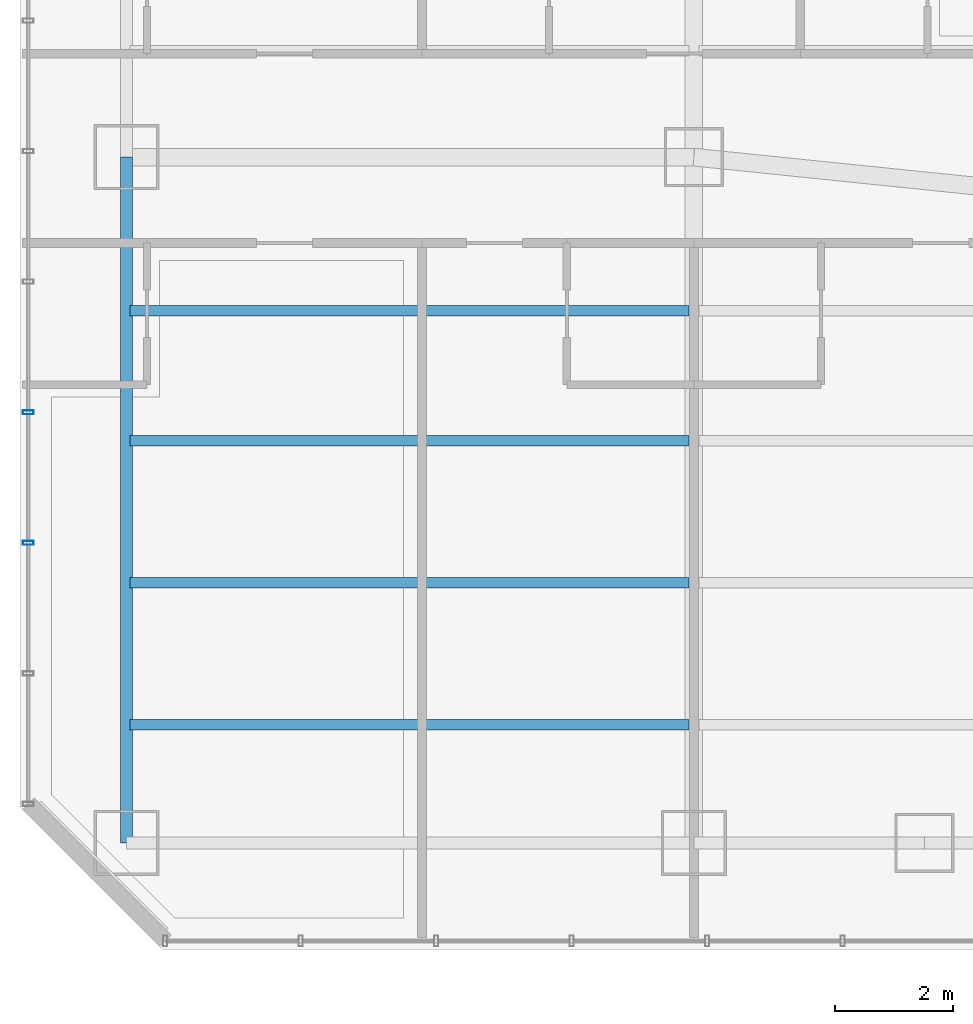
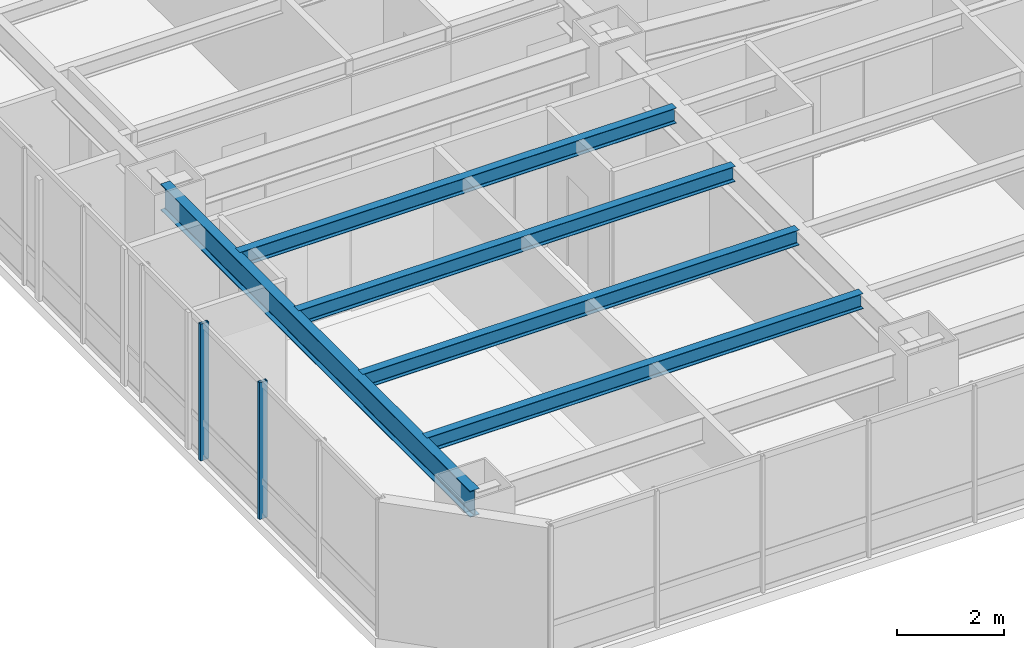
# One storey, part 5 of 38: 5 beams, 2 members, 1 element without a shape of its own.
"""IFC4 building model written with IfcOpenShell, lengths in metres."""

import ifcopenshell
import ifcopenshell.guid

model = None  # the IFC model being written
_history = None  # IfcOwnerHistory: only IFC2X3 demands one
_inside = {}  # id of a spatial element -> (the spatial element, [elements in it])
_under = {}  # id of a project, library or spatial element -> (it, [spatial elements below it])
_declared = {}  # id of a project -> (the project, [libraries it declares])
_typed = {}  # id of a type object -> (the type object, [elements of that type])
_made_of = {}  # id of a material, layer set ... -> (it, [elements and type objects made of it])


def new_model(schema):
    """Start an empty IFC model of exactly this schema.

    Asked for "IFC4X3", IfcOpenShell would pick the latest addendum, in which some entities
    have other attributes; the version numbers below select the first issue.
    IFC2X3 requires an IfcOwnerHistory on every rooted entity: one is made here for all.
    """
    global model, _history
    if schema == "IFC4X3":
        model = ifcopenshell.file(schema_version=(4, 3, 0, 0))
    else:
        model = ifcopenshell.file(schema=schema)
    _inside.clear()
    _under.clear()
    _declared.clear()
    _typed.clear()
    _made_of.clear()
    _history = None
    if model.schema == "IFC2X3":
        org = make("IfcOrganization", Name="unknown")
        user = make(
            "IfcPersonAndOrganization",
            ThePerson=make("IfcPerson", FamilyName="unknown"),
            TheOrganization=org,
        )
        app = make(
            "IfcApplication",
            ApplicationDeveloper=org,
            Version="unknown",
            ApplicationFullName="unknown",
            ApplicationIdentifier="unknown",
        )
        _history = make(
            "IfcOwnerHistory",
            OwningUser=user,
            OwningApplication=app,
            ChangeAction="ADDED",
            CreationDate=0,
        )
    return model


def make(cls, **values):
    """One entity of the class cls with the attributes given. An attribute that is None is left unset."""
    return model.create_entity(
        cls, **{name: value for name, value in values.items() if value is not None}
    )


def rooted(cls, **values):
    """An entity with a GlobalId (a new one), such as an element, a storey or a relation."""
    return make(cls, GlobalId=ifcopenshell.guid.new(), OwnerHistory=_history, **values)


def si_unit(unit_type, name, prefix=None):
    """IfcSIUnit, for example si_unit("LENGTHUNIT", "METRE", prefix="MILLI")."""
    return make("IfcSIUnit", UnitType=unit_type, Prefix=prefix, Name=name)


def assignment(units):
    """IfcUnitAssignment: the units of a project."""
    return None if units is None else make("IfcUnitAssignment", Units=units)


def point(xyz):
    """IfcCartesianPoint."""
    return None if xyz is None else make("IfcCartesianPoint", Coordinates=xyz)


def direction(xyz):
    """IfcDirection."""
    return None if xyz is None else make("IfcDirection", DirectionRatios=xyz)


def frame(location, z_axis=None, x_axis=None):
    """IfcAxis2Placement3D, a coordinate frame: its origin and axes. An axis left out is left unset."""
    return make(
        "IfcAxis2Placement3D",
        Location=point(location),
        Axis=direction(z_axis),
        RefDirection=direction(x_axis),
    )


def frame_2d(location, x_axis=None):
    """IfcAxis2Placement2D, a coordinate frame in the plane: its origin and x axis."""
    return make(
        "IfcAxis2Placement2D", Location=point(location), RefDirection=direction(x_axis)
    )


def origin():
    """The frame at (0, 0, 0) with its axes left unset."""
    return frame((0.0, 0.0, 0.0))


def origin_2d():
    """The frame at (0, 0) in the plane with its x axis left unset."""
    return frame_2d((0.0, 0.0))


def place(relative_to, where):
    """IfcLocalPlacement: puts the frame where relative to a parent placement (None: the world)."""
    return make(
        "IfcLocalPlacement", PlacementRelTo=relative_to, RelativePlacement=where
    )


def context(
    kind, dimensions, precision=None, world=None, true_north=None, identifier=None
):
    """IfcGeometricRepresentationContext, for example the 3D "Model" context."""
    return make(
        "IfcGeometricRepresentationContext",
        ContextIdentifier=identifier,
        ContextType=kind,
        CoordinateSpaceDimension=dimensions,
        Precision=precision,
        WorldCoordinateSystem=world,
        TrueNorth=true_north,
    )


def subcontext(parent, identifier, kind, view, scale=None):
    """IfcGeometricRepresentationSubContext, for example "Body" below "Model"."""
    return make(
        "IfcGeometricRepresentationSubContext",
        ContextIdentifier=identifier,
        ContextType=kind,
        ParentContext=parent,
        TargetScale=scale,
        TargetView=view,
    )


def project(units=None, contexts=None):
    """IfcProject with its units and contexts."""
    return rooted(
        "IfcProject",
        Name="project",
        RepresentationContexts=contexts,
        UnitsInContext=assignment(units),
    )


def spatial(cls, under=None, at=None, **own):
    """A site, building, storey or space (cls), placed at a placement, below another one or the project."""
    s = rooted(cls, ObjectPlacement=at, **own)
    if under is not None:
        _under.setdefault(under.id(), (under, []))[1].append(s)
    return s


def profile(cls, at=None, kind="AREA", **sizes):
    """A parametric profile (cls). Its sizes go by their IFC names, for example OverallWidth=200.0."""
    return make(cls, ProfileType=kind, Position=at, **sizes)


def hollow_rectangle(**sizes):
    """IfcRectangleHollowProfileDef."""
    return profile("IfcRectangleHollowProfileDef", **sizes)


def i_section(**sizes):
    """IfcIShapeProfileDef."""
    return profile("IfcIShapeProfileDef", **sizes)


def extrude(swept, where, along, depth):
    """IfcExtrudedAreaSolid: the profile swept, set in the frame where, extruded along a direction by depth."""
    return make(
        "IfcExtrudedAreaSolid",
        SweptArea=swept,
        Position=where,
        ExtrudedDirection=direction(along),
        Depth=depth,
    )


def shape(context_of_items, identifier, shape_type, items):
    """IfcShapeRepresentation: the items that make up one representation, for example the "Body"."""
    return make(
        "IfcShapeRepresentation",
        ContextOfItems=context_of_items,
        RepresentationIdentifier=identifier,
        RepresentationType=shape_type,
        Items=items,
    )


def material(Name=None, Category=None):
    """IfcMaterial."""
    return make("IfcMaterial", Name=Name, Category=Category)


def layer(
    of_material, thickness, ventilated=None, Name=None, Category=None, Priority=None
):
    """IfcMaterialLayer: one layer of a wall or slab, of a material (None: an air gap)."""
    return make(
        "IfcMaterialLayer",
        Material=of_material,
        LayerThickness=thickness,
        IsVentilated=ventilated,
        Name=Name,
        Category=Category,
        Priority=Priority,
    )


def layer_set(layers, Name=None):
    """IfcMaterialLayerSet."""
    return make("IfcMaterialLayerSet", MaterialLayers=layers, LayerSetName=Name)


def material_profile(
    of_material, cross_section, Name=None, Category=None, Priority=None
):
    """IfcMaterialProfile: a cross section and its material."""
    return make(
        "IfcMaterialProfile",
        Name=Name,
        Material=of_material,
        Profile=cross_section,
        Priority=Priority,
        Category=Category,
    )


def profile_set(profiles, Name=None, composite=None):
    """IfcMaterialProfileSet."""
    return make(
        "IfcMaterialProfileSet",
        Name=Name,
        MaterialProfiles=profiles,
        CompositeProfile=composite,
    )


def made_of(thing, what):
    """Note that an element or type object is made of a material, layer set ...; save() writes the relation."""
    if what is not None:
        _made_of.setdefault(what.id(), (what, []))[1].append(thing)
    return thing


def type_object(cls, material=None, **own):
    """A type object (cls), such as IfcWallType, which elements share."""
    return made_of(rooted(cls, **own), material)


def element(
    cls,
    number,
    at=None,
    inside=None,
    cuts=None,
    type_object=None,
    material=None,
    context=None,
    identifier="Body",
    shape_type=None,
    held_by="IfcProductDefinitionShape",
    body=None,
    shapes=None,
    **own,
):
    """One element of the class cls, such as IfcWall. Its Tag is "e" and its number.

    at: its placement. inside: the storey or other place that contains it. cuts: it is an
    opening in that element (IfcRelVoidsElement). A single representation is given by context,
    identifier, shape_type and body (its items); several are given by shapes. held_by: the class
    of the entity that holds the representations. save() writes the other relations.
    """
    e = rooted(cls, Tag="e%d" % number, ObjectPlacement=at, **own)
    if body is not None:
        shapes = [shape(context, identifier, shape_type, body)]
    if shapes is not None:
        e.Representation = make(held_by, Representations=shapes)
    if inside is not None:
        _inside.setdefault(inside.id(), (inside, []))[1].append(e)
    if cuts is not None:
        rooted(
            "IfcRelVoidsElement", RelatingBuildingElement=cuts, RelatedOpeningElement=e
        )
    if type_object is not None:
        _typed.setdefault(type_object.id(), (type_object, []))[1].append(e)
    return made_of(e, material)


def aggregate(whole, parts):
    """IfcRelAggregates: a whole, such as a stair, and the parts it consists of."""
    return rooted("IfcRelAggregates", RelatingObject=whole, RelatedObjects=parts)


def save(model, path):
    """Write the relations noted so far, then the file.

    IfcRelAggregates (storeys below a building ...), IfcRelContainedInSpatialStructure (elements
    in a storey), IfcRelDefinesByType, IfcRelAssociatesMaterial and IfcRelDeclares: one each for
    every whole, place, type object, material and project.
    """
    for whole, parts in _under.values():
        aggregate(whole, parts)
    for where, things in _inside.values():
        rooted(
            "IfcRelContainedInSpatialStructure",
            RelatedElements=things,
            RelatingStructure=where,
        )
    for kind, things in _typed.values():
        rooted("IfcRelDefinesByType", RelatedObjects=things, RelatingType=kind)
    for what, things in _made_of.values():
        rooted("IfcRelAssociatesMaterial", RelatedObjects=things, RelatingMaterial=what)
    for by, libraries in _declared.values():
        rooted("IfcRelDeclares", RelatingContext=by, RelatedDefinitions=libraries)
    model.write(path)


model = new_model("IFC4")

# Units and contexts
model_context = context("Model", 3, precision=1e-05, world=origin(), true_north=direction((0.0, 1.0)))
body_context = subcontext(model_context, "Body", "Model", "MODEL_VIEW")
ifc_project = project(units=[si_unit("LENGTHUNIT", "METRE"), si_unit("AREAUNIT", "SQUARE_METRE"), si_unit("VOLUMEUNIT", "CUBIC_METRE"), si_unit("PLANEANGLEUNIT", "RADIAN"), si_unit("MASSUNIT", "GRAM", prefix="KILO")], contexts=[model_context])

# Site, building, storey
site_placement = place(None, origin())
site = spatial("IfcSite", under=ifc_project, at=site_placement, CompositionType="ELEMENT")
building_placement = place(site_placement, origin())
building = spatial("IfcBuilding", under=site, at=building_placement, Name="Hatsunagi Terrace Concourse", CompositionType="ELEMENT")
storey_placement = place(building_placement, frame((0.0, 0.0, 63.39990234375)))
storey = spatial("IfcBuildingStorey", under=building, at=storey_placement, Name="L16", CompositionType="ELEMENT", Elevation=63.39990234375)

# Curtain wall, members
ifc_material_1 = material(Name="Anodised Aluminium Alloy 6063-T5", Category="aluminium")
ifc_layer = layer(ifc_material_1, 0.199951171875)
ifc_layer_set = layer_set([ifc_layer], Name="HotelFacade_CW02")
curtain_wall_type = type_object("IfcCurtainWallType", Name="HotelFacade_CW02", PredefinedType="NOTDEFINED", material=ifc_layer_set)
curtain_wall_placement = place(storey_placement, origin())
curtain_wall = element("IfcCurtainWall", 1, at=curtain_wall_placement, inside=storey, type_object=curtain_wall_type, Name="Unitised Curtain Wall CW-02 CW-L16-09", PredefinedType="NOTDEFINED")
ifc_material_2 = material(Name="Anodised Aluminium Alloy 6063-T5", Category="aluminium")
ifc_material_profile_1 = material_profile(ifc_material_2, hollow_rectangle(XDim=0.070068359375, YDim=0.179931640625, WallThickness=0.00390625, at=origin_2d()), Name="ALU-MUL-180x70x4")
ifc_profile_set_1 = profile_set([ifc_material_profile_1], Name="Anodised Aluminium Alloy 6063-T5")
member_type = type_object("IfcMemberType", Name="CurtainWallMullion_180x70", PredefinedType="MULLION", material=ifc_profile_set_1)
member_1_placement = place(storey_placement, frame((0.139892578125, 30.27490234375, 0.0), z_axis=(0.0, 0.0, 1.0), x_axis=(0.0, 1.0, 0.0)))
member_1 = element("IfcMember", 2, at=member_1_placement, type_object=member_type, Name="Curtain Wall Mullion MUL-02", PredefinedType="MULLION", context=body_context, shape_type="SweptSolid", body=[
    extrude(hollow_rectangle(XDim=0.070068359375, YDim=0.179931640625, WallThickness=0.00390625, at=origin_2d()), origin(), (0.0, 0.0, 1.0), 3.130126953125),
])
member_2_placement = place(storey_placement, frame((0.139892578125, 32.48291015625, 0.0), z_axis=(0.0, 0.0, 1.0), x_axis=(0.0, 1.0, 0.0)))
member_2 = element("IfcMember", 3, at=member_2_placement, type_object=member_type, Name="Curtain Wall Mullion MUL-02", PredefinedType="MULLION", context=body_context, shape_type="SweptSolid", body=[
    extrude(hollow_rectangle(XDim=0.070068359375, YDim=0.179931640625, WallThickness=0.00390625, at=origin_2d()), origin(), (0.0, 0.0, 1.0), 3.130126953125),
])
aggregate(curtain_wall, [member_1, member_2])

# Beams
ifc_material_3 = material(Name="Steel SN490B", Category="steel")
ifc_material_profile_2 = material_profile(ifc_material_3, i_section(OverallWidth=0.175048828125, OverallDepth=0.35009765625, WebThickness=0.007080078125, FlangeThickness=0.010986328125, FilletRadius=0.012939453125, at=origin_2d()), Name="H-350x175x7x11")
ifc_profile_set_2 = profile_set([ifc_material_profile_2], Name="Steel SN490B")
beam_type_1 = type_object("IfcBeamType", Name="HotelJoist_H_350x175", PredefinedType="JOIST", material=ifc_profile_set_2)
for number, where, z_axis, x_axis, name in (
    (4, (1.864990234375, 27.199951171875, 2.955078125), (1.0, 0.0, 0.0), (0.0, 1.0, 0.0), "Beam J-02 J-L16-W-1-272"),
    (5, (1.864990234375, 29.60009765625, 2.955078125), (1.0, 0.0, 0.0), (0.0, 1.0, 0.0), "Beam J-02 J-L16-W-1-296"),
    (6, (1.864990234375, 32.0, 2.955078125), (1.0, 0.0, 0.0), (0.0, 1.0, 0.0), "Beam J-02 J-L16-W-1-320"),
    (7, (1.864990234375, 34.199951171875, 2.955078125), (1.0, 0.0, 0.0), (0.0, 1.0, 0.0), "Beam J-02 J-L16-W-1-342"),
):
    element("IfcBeam", number, at=place(storey_placement, frame(where, z_axis=z_axis, x_axis=x_axis)), inside=storey, type_object=beam_type_1, Name=name, PredefinedType="JOIST", context=body_context, shape_type="SweptSolid", body=[
        extrude(i_section(OverallWidth=0.175048828125, OverallDepth=0.35009765625, WebThickness=0.007080078125, FlangeThickness=0.010986328125, FilletRadius=0.012939453125, at=origin_2d()), origin(), (0.0, 0.0, 1.0), 9.449951171875),
    ])
ifc_material_4 = material(Name="Steel SN490B", Category="steel")
ifc_material_profile_3 = material_profile(ifc_material_4, i_section(OverallWidth=0.199951171875, OverallDepth=0.60009765625, WebThickness=0.010986328125, FlangeThickness=0.01708984375, FilletRadius=0.01806640625, at=origin_2d()), Name="H-600x200x11x17")
ifc_profile_set_3 = profile_set([ifc_material_profile_3], Name="Steel SN490B")
beam_type_2 = type_object("IfcBeamType", Name="PerimeterSpandrel_H_600x200", PredefinedType="SPANDREL", material=ifc_profile_set_3)
beam_placement = place(storey_placement, frame((1.800048828125, 25.199951171875, 2.830078125), z_axis=(0.0, 1.0, 0.0), x_axis=(-1.0, 0.0, 0.0)))
element("IfcBeam", 8, at=beam_placement, inside=storey, type_object=beam_type_2, Name="Beam SP-01 BM-L16-NS-1-25", PredefinedType="SPANDREL", context=body_context, shape_type="SweptSolid", body=[
    extrude(i_section(OverallWidth=0.199951171875, OverallDepth=0.60009765625, WebThickness=0.010986328125, FlangeThickness=0.01708984375, FilletRadius=0.01806640625, at=origin_2d()), origin(), (0.0, 0.0, 1.0), 11.60009765625),
])

save(model, "model.ifc")
